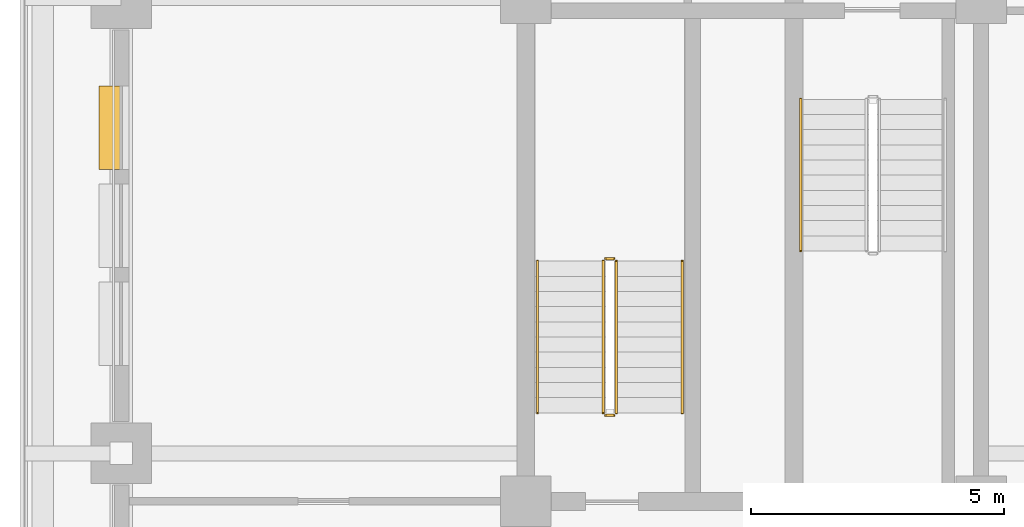
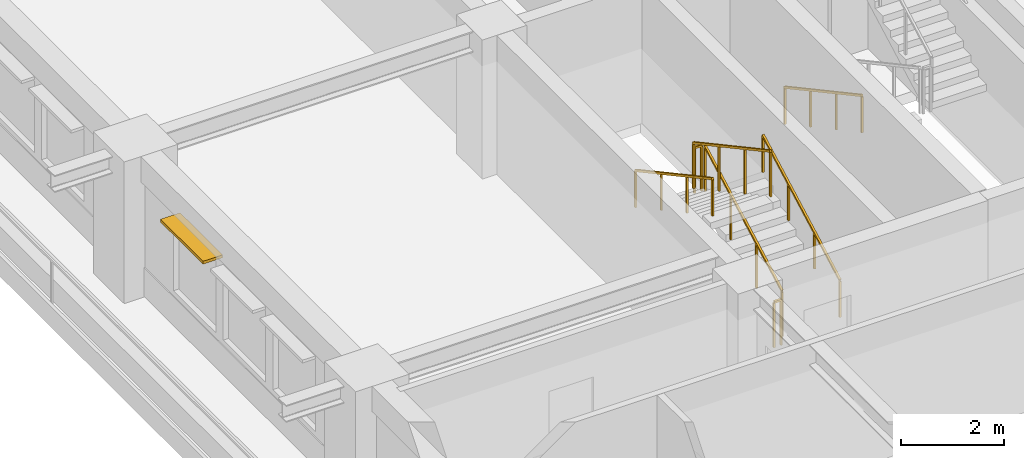
# One storey, part 14 of 20: 7 railings, 1 shading device.
"""IFC4 building model written with IfcOpenShell, lengths in metres."""

from ifc_helpers import new_model, si_unit, direction, frame, frame_2d, origin, origin_2d, place, context, subcontext, project, spatial, rectangle, extrude, material, layer, layer_set, type_object, element, save


model = new_model("IFC4")

# Units and contexts
model_context = context("Model", 3, precision=1e-05, world=origin(), true_north=direction((0.0, 1.0)))
body_context = subcontext(model_context, "Body", "Model", "MODEL_VIEW")
ifc_project = project(units=[si_unit("LENGTHUNIT", "METRE"), si_unit("AREAUNIT", "SQUARE_METRE"), si_unit("VOLUMEUNIT", "CUBIC_METRE"), si_unit("PLANEANGLEUNIT", "RADIAN"), si_unit("MASSUNIT", "GRAM", prefix="KILO")], contexts=[model_context])

# Site, building, storey
site_placement = place(None, origin())
site = spatial("IfcSite", under=ifc_project, at=site_placement, CompositionType="ELEMENT")
building_placement = place(site_placement, origin())
building = spatial("IfcBuilding", under=site, at=building_placement, Name="Zulmaris Gate Convention Tower", CompositionType="ELEMENT")
storey_placement = place(building_placement, frame((0.0, 0.0, 146.33984375)))
storey = spatial("IfcBuildingStorey", under=building, at=storey_placement, Name="L37", CompositionType="ELEMENT", Elevation=146.33984375)

# Railings
ifc_material_1 = material(Name="Painted Galvanised Steel", Category="steel")
railing_type_1 = type_object("IfcRailingType", Name="RL-STG-1150", PredefinedType="GUARDRAIL", material=ifc_material_1)
railing_1_placement = place(storey_placement, frame((-18.2099609375, -8.199951171875, 0.162353515625)))
element("IfcRailing", 1, at=railing_1_placement, inside=storey, type_object=railing_type_1, Name="L37 ST-3 stair guard 1", PredefinedType="GUARDRAIL", context=body_context, shape_type="SweptSolid", body=[
    extrude(rectangle(XDim=0.048095703125, YDim=0.048095703125, at=origin_2d()), frame((0.0, 0.0, 1.076171875), z_axis=(0.0, 0.879591569277, 0.475729619907), x_axis=(-1.0, 0.0, 0.0)), (0.0, 0.0, 1.0), 3.41064453125),
    extrude(rectangle(XDim=0.0419921875, YDim=0.0419921875, at=origin_2d()), origin(), (0.0, 0.0, 1.0), 1.052001953125),
    extrude(rectangle(XDim=0.0419921875, YDim=0.0419921875, at=origin_2d()), frame((0.0, 1.0, 0.540771484375)), (0.0, 0.0, 1.0), 1.052001953125),
    extrude(rectangle(XDim=0.0419921875, YDim=0.0419921875, at=origin_2d()), frame((0.0, 2.0, 1.081787109375)), (0.0, 0.0, 1.0), 1.052001953125),
    extrude(rectangle(XDim=0.0419921875, YDim=0.0419921875, at=origin_2d()), frame((0.0, 3.0, 1.62255859375)), (0.0, 0.0, 1.0), 1.052001953125),
])
railing_2_placement = place(storey_placement, frame((-18.260009765625, -5.14990234375, 1.784912109375)))
element("IfcRailing", 2, at=railing_2_placement, inside=storey, type_object=railing_type_1, Name="L37 ST-3 stair guard 2", PredefinedType="GUARDRAIL", context=body_context, shape_type="SweptSolid", body=[
    extrude(rectangle(XDim=0.048095703125, YDim=0.048095703125, at=origin_2d()), frame((0.0, 0.0, 1.076171875), z_axis=(-1.0, 0.0, 0.0), x_axis=(0.0, -1.0, 0.0)), (0.0, 0.0, 1.0), 0.159912109375),
    extrude(rectangle(XDim=0.0419921875, YDim=0.0419921875, at=origin_2d()), origin(), (0.0, 0.0, 1.0), 1.052001953125),
    extrude(rectangle(XDim=0.0419921875, YDim=0.0419921875, at=origin_2d()), frame((-0.159912109375, 0.0, 0.0)), (0.0, 0.0, 1.0), 1.052001953125),
])
railing_3_placement = place(storey_placement, frame((-18.469970703125, -5.199951171875, 1.947265625)))
element("IfcRailing", 3, at=railing_3_placement, inside=storey, type_object=railing_type_1, Name="L37 ST-3 stair guard 3", PredefinedType="GUARDRAIL", context=body_context, shape_type="SweptSolid", body=[
    extrude(rectangle(XDim=0.048095703125, YDim=0.048095703125, at=origin_2d()), frame((0.0, 0.0, 1.076171875), z_axis=(0.0, -0.8795616155, 0.475784998228), x_axis=(1.0, 0.0, 0.0)), (0.0, 0.0, 1.0), 3.410888671875),
    extrude(rectangle(XDim=0.0419921875, YDim=0.0419921875, at=origin_2d()), origin(), (0.0, 0.0, 1.0), 1.052001953125),
    extrude(rectangle(XDim=0.0419921875, YDim=0.0419921875, at=origin_2d()), frame((0.0, -1.0, 0.541015625)), (0.0, 0.0, 1.0), 1.052001953125),
    extrude(rectangle(XDim=0.0419921875, YDim=0.0419921875, at=origin_2d()), frame((0.0, -2.0, 1.081787109375)), (0.0, 0.0, 1.0), 1.052001953125),
    extrude(rectangle(XDim=0.0419921875, YDim=0.0419921875, at=origin_2d()), frame((0.0, -3.0, 1.622802734375)), (0.0, 0.0, 1.0), 1.052001953125),
])
railing_4_placement = place(storey_placement, frame((-18.260009765625, -8.25, 0.0)))
element("IfcRailing", 4, at=railing_4_placement, inside=storey, type_object=railing_type_1, Name="L37 ST-3 stair guard 4", PredefinedType="GUARDRAIL", context=body_context, shape_type="SweptSolid", body=[
    extrude(rectangle(XDim=0.048095703125, YDim=0.048095703125, at=origin_2d()), frame((0.0, 0.0, 1.076171875), z_axis=(-1.0, 0.0, 0.0), x_axis=(0.0, -1.0, 0.0)), (0.0, 0.0, 1.0), 0.159912109375),
    extrude(rectangle(XDim=0.0419921875, YDim=0.0419921875, at=origin_2d()), origin(), (0.0, 0.0, 1.0), 1.052001953125),
    extrude(rectangle(XDim=0.0419921875, YDim=0.0419921875, at=origin_2d()), frame((-0.159912109375, 0.0, 0.0)), (0.0, 0.0, 1.0), 1.052001953125),
])
ifc_material_2 = material(Name="Brushed Stainless Steel", Category="steel")
railing_type_2 = type_object("IfcRailingType", Name="RL-STH-900", PredefinedType="HANDRAIL", material=ifc_material_2)
railing_5_placement = place(storey_placement, frame((-14.570068359375, -2.0, 0.162353515625)))
element("IfcRailing", 5, at=railing_5_placement, inside=storey, type_object=railing_type_2, Name="L37 ST-1 stair handrail 1", PredefinedType="HANDRAIL", context=body_context, shape_type="SweptSolid", body=[
    extrude(rectangle(XDim=0.048095703125, YDim=0.048095703125, at=origin_2d()), frame((0.0, 0.0, 0.8759765625), z_axis=(0.0, -0.879591569277, 0.475729619907), x_axis=(1.0, 0.0, 0.0)), (0.0, 0.0, 1.0), 3.41064453125),
    extrude(rectangle(XDim=0.0419921875, YDim=0.0419921875, at=origin_2d()), origin(), (0.0, 0.0, 1.0), 0.851806640625),
    extrude(rectangle(XDim=0.0419921875, YDim=0.0419921875, at=origin_2d()), frame((0.0, -1.0, 0.540771484375)), (0.0, 0.0, 1.0), 0.851806640625),
    extrude(rectangle(XDim=0.0419921875, YDim=0.0419921875, at=origin_2d()), frame((0.0, -2.0, 1.081787109375)), (0.0, 0.0, 1.0), 0.851806640625),
    extrude(rectangle(XDim=0.0419921875, YDim=0.0419921875, at=origin_2d()), frame((0.0, -3.0, 1.62255859375)), (0.0, 0.0, 1.0), 0.851806640625),
])
railing_6_placement = place(storey_placement, frame((-16.909912109375, -8.199951171875, 0.162353515625)))
element("IfcRailing", 6, at=railing_6_placement, inside=storey, type_object=railing_type_2, Name="L37 ST-3 stair handrail 1", PredefinedType="HANDRAIL", context=body_context, shape_type="SweptSolid", body=[
    extrude(rectangle(XDim=0.048095703125, YDim=0.048095703125, at=origin_2d()), frame((0.0, 0.0, 0.8759765625), z_axis=(0.0, 0.879591569277, 0.475729619907), x_axis=(-1.0, 0.0, 0.0)), (0.0, 0.0, 1.0), 3.41064453125),
    extrude(rectangle(XDim=0.0419921875, YDim=0.0419921875, at=origin_2d()), origin(), (0.0, 0.0, 1.0), 0.851806640625),
    extrude(rectangle(XDim=0.0419921875, YDim=0.0419921875, at=origin_2d()), frame((0.0, 1.0, 0.540771484375)), (0.0, 0.0, 1.0), 0.851806640625),
    extrude(rectangle(XDim=0.0419921875, YDim=0.0419921875, at=origin_2d()), frame((0.0, 2.0, 1.081787109375)), (0.0, 0.0, 1.0), 0.851806640625),
    extrude(rectangle(XDim=0.0419921875, YDim=0.0419921875, at=origin_2d()), frame((0.0, 3.0, 1.62255859375)), (0.0, 0.0, 1.0), 0.851806640625),
])
railing_7_placement = place(storey_placement, frame((-19.77001953125, -5.199951171875, 1.947265625)))
element("IfcRailing", 7, at=railing_7_placement, inside=storey, type_object=railing_type_2, Name="L37 ST-3 stair handrail 2", PredefinedType="HANDRAIL", context=body_context, shape_type="SweptSolid", body=[
    extrude(rectangle(XDim=0.048095703125, YDim=0.048095703125, at=origin_2d()), frame((0.0, 0.0, 0.8759765625), z_axis=(0.0, -0.8795616155, 0.475784998228), x_axis=(1.0, 0.0, 0.0)), (0.0, 0.0, 1.0), 3.410888671875),
    extrude(rectangle(XDim=0.0419921875, YDim=0.0419921875, at=origin_2d()), origin(), (0.0, 0.0, 1.0), 0.851806640625),
    extrude(rectangle(XDim=0.0419921875, YDim=0.0419921875, at=origin_2d()), frame((0.0, -1.0, 0.541015625)), (0.0, 0.0, 1.0), 0.851806640625),
    extrude(rectangle(XDim=0.0419921875, YDim=0.0419921875, at=origin_2d()), frame((0.0, -2.0, 1.081787109375)), (0.0, 0.0, 1.0), 0.851806640625),
    extrude(rectangle(XDim=0.0419921875, YDim=0.0419921875, at=origin_2d()), frame((0.0, -3.0, 1.622802734375)), (0.0, 0.0, 1.0), 0.851806640625),
])

# Shading device
ifc_material_3 = material(Name="Glazed Ceramic Terracotta", Category="masonry")
ifc_layer = layer(ifc_material_3, 0.070068359375, Name="Glazed Ceramic Terracotta")
ifc_layer_set = layer_set([ifc_layer], Name="Glazed Ceramic Terracotta")
shading_device_type = type_object("IfcShadingDeviceType", Name="SHD-SUNSHADE-TC", PredefinedType="AWNING", material=ifc_layer_set)
shading_device_placement = place(storey_placement, frame((-28.219970703125, -1.739990234375, 2.530029296875), z_axis=(0.0, 0.0, 1.0), x_axis=(0.0, -1.0, 0.0)))
element("IfcShadingDevice", 8, at=shading_device_placement, inside=storey, type_object=shading_device_type, Name="SHD-EW-L37-W-1_0-1", PredefinedType="AWNING", context=body_context, shape_type="SweptSolid", body=[
    extrude(rectangle(XDim=1.64990234375, YDim=0.43994140625, at=frame_2d((0.824951171875, 0.0))), origin(), (0.0, 0.0, 1.0), 0.06982421875),
])

save(model, "model.ifc")
